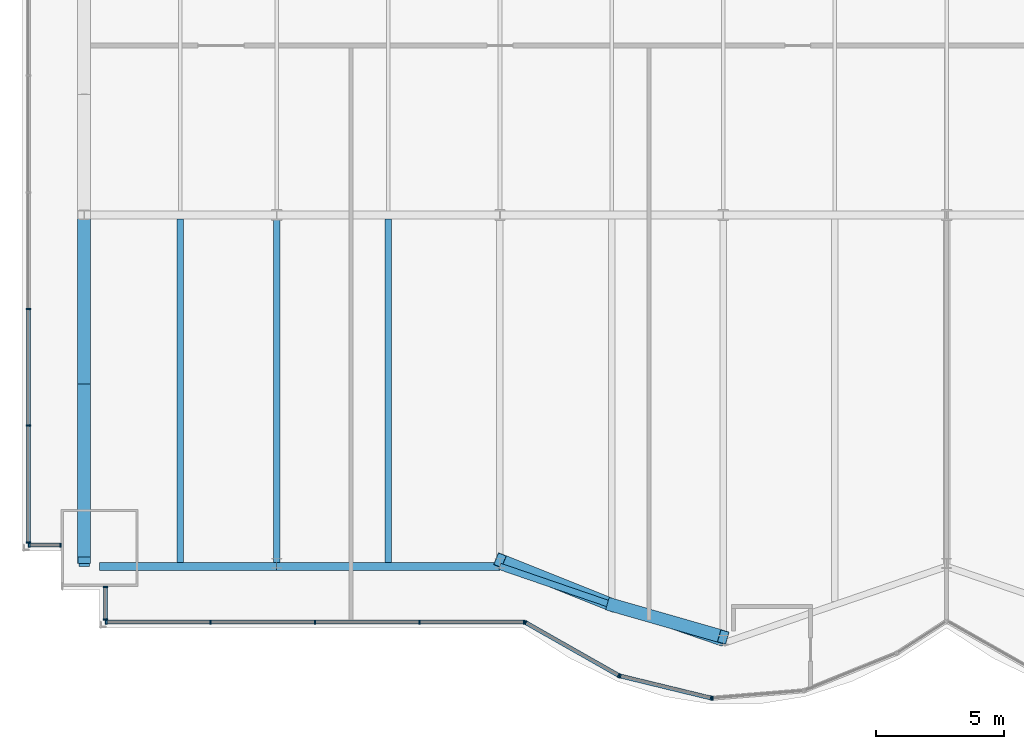
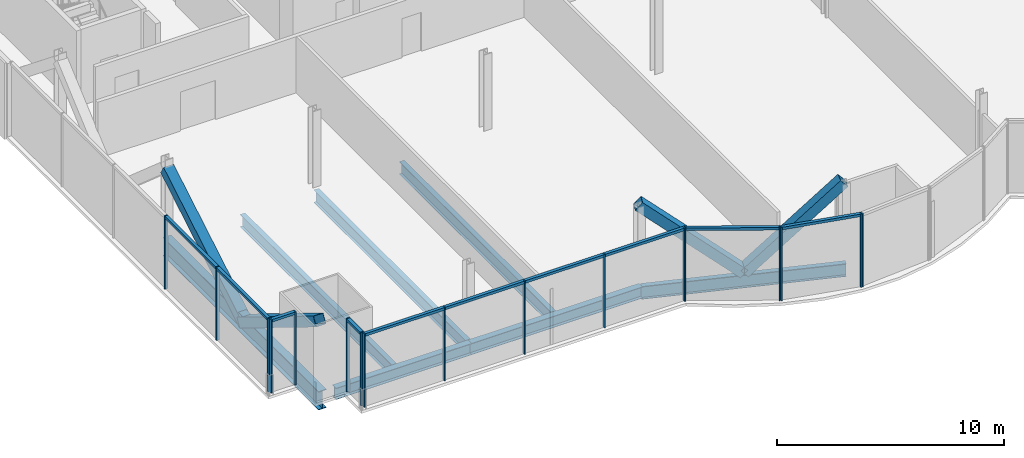
# One storey, part 4 of 21: 31 members, 7 beams, 5 elements without a shape of their own.
"""IFC4 building model written with IfcOpenShell, lengths in metres."""

import ifcopenshell
import ifcopenshell.guid

model = None  # the IFC model being written
_history = None  # IfcOwnerHistory: only IFC2X3 demands one
_inside = {}  # id of a spatial element -> (the spatial element, [elements in it])
_under = {}  # id of a project, library or spatial element -> (it, [spatial elements below it])
_declared = {}  # id of a project -> (the project, [libraries it declares])
_typed = {}  # id of a type object -> (the type object, [elements of that type])
_made_of = {}  # id of a material, layer set ... -> (it, [elements and type objects made of it])


def new_model(schema):
    """Start an empty IFC model of exactly this schema.

    Asked for "IFC4X3", IfcOpenShell would pick the latest addendum, in which some entities
    have other attributes; the version numbers below select the first issue.
    IFC2X3 requires an IfcOwnerHistory on every rooted entity: one is made here for all.
    """
    global model, _history
    if schema == "IFC4X3":
        model = ifcopenshell.file(schema_version=(4, 3, 0, 0))
    else:
        model = ifcopenshell.file(schema=schema)
    _inside.clear()
    _under.clear()
    _declared.clear()
    _typed.clear()
    _made_of.clear()
    _history = None
    if model.schema == "IFC2X3":
        org = make("IfcOrganization", Name="unknown")
        user = make(
            "IfcPersonAndOrganization",
            ThePerson=make("IfcPerson", FamilyName="unknown"),
            TheOrganization=org,
        )
        app = make(
            "IfcApplication",
            ApplicationDeveloper=org,
            Version="unknown",
            ApplicationFullName="unknown",
            ApplicationIdentifier="unknown",
        )
        _history = make(
            "IfcOwnerHistory",
            OwningUser=user,
            OwningApplication=app,
            ChangeAction="ADDED",
            CreationDate=0,
        )
    return model


def make(cls, **values):
    """One entity of the class cls with the attributes given. An attribute that is None is left unset."""
    return model.create_entity(
        cls, **{name: value for name, value in values.items() if value is not None}
    )


def rooted(cls, **values):
    """An entity with a GlobalId (a new one), such as an element, a storey or a relation."""
    return make(cls, GlobalId=ifcopenshell.guid.new(), OwnerHistory=_history, **values)


def si_unit(unit_type, name, prefix=None):
    """IfcSIUnit, for example si_unit("LENGTHUNIT", "METRE", prefix="MILLI")."""
    return make("IfcSIUnit", UnitType=unit_type, Prefix=prefix, Name=name)


def assignment(units):
    """IfcUnitAssignment: the units of a project."""
    return None if units is None else make("IfcUnitAssignment", Units=units)


def point(xyz):
    """IfcCartesianPoint."""
    return None if xyz is None else make("IfcCartesianPoint", Coordinates=xyz)


def direction(xyz):
    """IfcDirection."""
    return None if xyz is None else make("IfcDirection", DirectionRatios=xyz)


def frame(location, z_axis=None, x_axis=None):
    """IfcAxis2Placement3D, a coordinate frame: its origin and axes. An axis left out is left unset."""
    return make(
        "IfcAxis2Placement3D",
        Location=point(location),
        Axis=direction(z_axis),
        RefDirection=direction(x_axis),
    )


def frame_2d(location, x_axis=None):
    """IfcAxis2Placement2D, a coordinate frame in the plane: its origin and x axis."""
    return make(
        "IfcAxis2Placement2D", Location=point(location), RefDirection=direction(x_axis)
    )


def origin():
    """The frame at (0, 0, 0) with its axes left unset."""
    return frame((0.0, 0.0, 0.0))


def origin_2d():
    """The frame at (0, 0) in the plane with its x axis left unset."""
    return frame_2d((0.0, 0.0))


def place(relative_to, where):
    """IfcLocalPlacement: puts the frame where relative to a parent placement (None: the world)."""
    return make(
        "IfcLocalPlacement", PlacementRelTo=relative_to, RelativePlacement=where
    )


def context(
    kind, dimensions, precision=None, world=None, true_north=None, identifier=None
):
    """IfcGeometricRepresentationContext, for example the 3D "Model" context."""
    return make(
        "IfcGeometricRepresentationContext",
        ContextIdentifier=identifier,
        ContextType=kind,
        CoordinateSpaceDimension=dimensions,
        Precision=precision,
        WorldCoordinateSystem=world,
        TrueNorth=true_north,
    )


def subcontext(parent, identifier, kind, view, scale=None):
    """IfcGeometricRepresentationSubContext, for example "Body" below "Model"."""
    return make(
        "IfcGeometricRepresentationSubContext",
        ContextIdentifier=identifier,
        ContextType=kind,
        ParentContext=parent,
        TargetScale=scale,
        TargetView=view,
    )


def project(units=None, contexts=None):
    """IfcProject with its units and contexts."""
    return rooted(
        "IfcProject",
        Name="project",
        RepresentationContexts=contexts,
        UnitsInContext=assignment(units),
    )


def spatial(cls, under=None, at=None, **own):
    """A site, building, storey or space (cls), placed at a placement, below another one or the project."""
    s = rooted(cls, ObjectPlacement=at, **own)
    if under is not None:
        _under.setdefault(under.id(), (under, []))[1].append(s)
    return s


def profile(cls, at=None, kind="AREA", **sizes):
    """A parametric profile (cls). Its sizes go by their IFC names, for example OverallWidth=200.0."""
    return make(cls, ProfileType=kind, Position=at, **sizes)


def rectangle(**sizes):
    """IfcRectangleProfileDef."""
    return profile("IfcRectangleProfileDef", **sizes)


def hollow_rectangle(**sizes):
    """IfcRectangleHollowProfileDef."""
    return profile("IfcRectangleHollowProfileDef", **sizes)


def i_section(**sizes):
    """IfcIShapeProfileDef."""
    return profile("IfcIShapeProfileDef", **sizes)


def extrude(swept, where, along, depth):
    """IfcExtrudedAreaSolid: the profile swept, set in the frame where, extruded along a direction by depth."""
    return make(
        "IfcExtrudedAreaSolid",
        SweptArea=swept,
        Position=where,
        ExtrudedDirection=direction(along),
        Depth=depth,
    )


def shape(context_of_items, identifier, shape_type, items):
    """IfcShapeRepresentation: the items that make up one representation, for example the "Body"."""
    return make(
        "IfcShapeRepresentation",
        ContextOfItems=context_of_items,
        RepresentationIdentifier=identifier,
        RepresentationType=shape_type,
        Items=items,
    )


def material(Name=None, Category=None):
    """IfcMaterial."""
    return make("IfcMaterial", Name=Name, Category=Category)


def material_profile(
    of_material, cross_section, Name=None, Category=None, Priority=None
):
    """IfcMaterialProfile: a cross section and its material."""
    return make(
        "IfcMaterialProfile",
        Name=Name,
        Material=of_material,
        Profile=cross_section,
        Priority=Priority,
        Category=Category,
    )


def profile_set(profiles, Name=None, composite=None):
    """IfcMaterialProfileSet."""
    return make(
        "IfcMaterialProfileSet",
        Name=Name,
        MaterialProfiles=profiles,
        CompositeProfile=composite,
    )


def made_of(thing, what):
    """Note that an element or type object is made of a material, layer set ...; save() writes the relation."""
    if what is not None:
        _made_of.setdefault(what.id(), (what, []))[1].append(thing)
    return thing


def type_object(cls, material=None, **own):
    """A type object (cls), such as IfcWallType, which elements share."""
    return made_of(rooted(cls, **own), material)


def element(
    cls,
    number,
    at=None,
    inside=None,
    cuts=None,
    type_object=None,
    material=None,
    context=None,
    identifier="Body",
    shape_type=None,
    held_by="IfcProductDefinitionShape",
    body=None,
    shapes=None,
    **own,
):
    """One element of the class cls, such as IfcWall. Its Tag is "e" and its number.

    at: its placement. inside: the storey or other place that contains it. cuts: it is an
    opening in that element (IfcRelVoidsElement). A single representation is given by context,
    identifier, shape_type and body (its items); several are given by shapes. held_by: the class
    of the entity that holds the representations. save() writes the other relations.
    """
    e = rooted(cls, Tag="e%d" % number, ObjectPlacement=at, **own)
    if body is not None:
        shapes = [shape(context, identifier, shape_type, body)]
    if shapes is not None:
        e.Representation = make(held_by, Representations=shapes)
    if inside is not None:
        _inside.setdefault(inside.id(), (inside, []))[1].append(e)
    if cuts is not None:
        rooted(
            "IfcRelVoidsElement", RelatingBuildingElement=cuts, RelatedOpeningElement=e
        )
    if type_object is not None:
        _typed.setdefault(type_object.id(), (type_object, []))[1].append(e)
    return made_of(e, material)


def aggregate(whole, parts):
    """IfcRelAggregates: a whole, such as a stair, and the parts it consists of."""
    return rooted("IfcRelAggregates", RelatingObject=whole, RelatedObjects=parts)


def save(model, path):
    """Write the relations noted so far, then the file.

    IfcRelAggregates (storeys below a building ...), IfcRelContainedInSpatialStructure (elements
    in a storey), IfcRelDefinesByType, IfcRelAssociatesMaterial and IfcRelDeclares: one each for
    every whole, place, type object, material and project.
    """
    for whole, parts in _under.values():
        aggregate(whole, parts)
    for where, things in _inside.values():
        rooted(
            "IfcRelContainedInSpatialStructure",
            RelatedElements=things,
            RelatingStructure=where,
        )
    for kind, things in _typed.values():
        rooted("IfcRelDefinesByType", RelatedObjects=things, RelatingType=kind)
    for what, things in _made_of.values():
        rooted("IfcRelAssociatesMaterial", RelatedObjects=things, RelatingMaterial=what)
    for by, libraries in _declared.values():
        rooted("IfcRelDeclares", RelatingContext=by, RelatedDefinitions=libraries)
    model.write(path)


model = new_model("IFC4")

# Units and contexts
model_context = context("Model", 3, precision=1e-05, world=origin(), true_north=direction((0.0, 1.0)))
body_context = subcontext(model_context, "Body", "Model", "MODEL_VIEW")
ifc_project = project(units=[si_unit("LENGTHUNIT", "METRE"), si_unit("AREAUNIT", "SQUARE_METRE"), si_unit("VOLUMEUNIT", "CUBIC_METRE"), si_unit("PLANEANGLEUNIT", "RADIAN"), si_unit("MASSUNIT", "GRAM", prefix="KILO")], contexts=[model_context])

# Site, building, storey
site_placement = place(None, origin())
site = spatial("IfcSite", under=ifc_project, at=site_placement, CompositionType="ELEMENT")
building_placement = place(site_placement, origin())
building = spatial("IfcBuilding", under=site, at=building_placement, Name="Bicima Exchange Tower", CompositionType="ELEMENT")
storey_placement = place(building_placement, frame((0.0, 0.0, 106.300048828125)))
storey = spatial("IfcBuildingStorey", under=building, at=storey_placement, Name="L22", CompositionType="ELEMENT", Elevation=106.300048828125)

# Curtain wall, members
ifc_material_1 = material(Name="Anodised bronze aluminium", Category="aluminium")
curtain_wall_type_1 = type_object("IfcCurtainWallType", Name="End face glass wall", PredefinedType="NOTDEFINED", material=ifc_material_1)
curtain_wall_1_placement = place(storey_placement, origin())
curtain_wall_1 = element("IfcCurtainWall", 1, at=curtain_wall_1_placement, inside=storey, type_object=curtain_wall_type_1, Name="End face glass wall L22 run 2", PredefinedType="NOTDEFINED")
ifc_material_profile_1 = material_profile(ifc_material_1, rectangle(XDim=0.159912109375, YDim=0.06005859375, at=origin_2d()))
ifc_profile_set_1 = profile_set([ifc_material_profile_1], Name="Anodised bronze aluminium")
member_type_1 = type_object("IfcMemberType", Name="End face glass wall mullion 60 x 160", PredefinedType="MULLION", material=ifc_profile_set_1)
member_1_placement = place(storey_placement, frame((-35.77001953125, -25.66552734375, 0.0), z_axis=(0.0, 0.0, 1.0), x_axis=(1.0, 0.0, 0.0)))
member_1 = element("IfcMember", 2, at=member_1_placement, type_object=member_type_1, Name="End face glass wall mullion 4", PredefinedType="MULLION", context=body_context, shape_type="SweptSolid", body=[
    extrude(rectangle(XDim=0.159912109375, YDim=0.06005859375, at=origin_2d()), origin(), (0.0, 0.0, 1.0), 3.949951171875),
])
member_2_placement = place(storey_placement, frame((-35.77001953125, -30.210693359375, 0.0), z_axis=(0.0, 0.0, 1.0), x_axis=(1.0, 0.0, 0.0)))
member_2 = element("IfcMember", 3, at=member_2_placement, type_object=member_type_1, Name="End face glass wall mullion 5", PredefinedType="MULLION", context=body_context, shape_type="SweptSolid", body=[
    extrude(rectangle(XDim=0.159912109375, YDim=0.06005859375, at=origin_2d()), origin(), (0.0, 0.0, 1.0), 3.949951171875),
])
member_3_placement = place(storey_placement, frame((-35.77001953125, -34.756103515625, 0.0), z_axis=(0.0, 0.0, 1.0), x_axis=(1.0, 0.0, 0.0)))
member_3 = element("IfcMember", 4, at=member_3_placement, type_object=member_type_1, Name="End face glass wall mullion 6", PredefinedType="MULLION", context=body_context, shape_type="SweptSolid", body=[
    extrude(rectangle(XDim=0.159912109375, YDim=0.06005859375, at=origin_2d()), origin(), (0.0, 0.0, 1.0), 3.949951171875),
])
ifc_material_profile_2 = material_profile(ifc_material_1, rectangle(XDim=0.159912109375, YDim=0.139892578125, at=origin_2d()))
ifc_profile_set_2 = profile_set([ifc_material_profile_2], Name="Anodised bronze aluminium")
member_type_2 = type_object("IfcMemberType", Name="End face glass wall transom 140 x 160", PredefinedType="USERDEFINED", material=ifc_profile_set_2)
member_4_placement = place(storey_placement, frame((-35.77001953125, -25.695556640625, 3.8798828125), z_axis=(0.0, -1.0, 0.0), x_axis=(1.0, 0.0, 0.0)))
member_4 = element("IfcMember", 5, at=member_4_placement, type_object=member_type_2, Name="End face glass wall transom 4.1", ObjectType="TRANSOM", PredefinedType="USERDEFINED", context=body_context, shape_type="SweptSolid", body=[
    extrude(rectangle(XDim=0.159912109375, YDim=0.139892578125, at=origin_2d()), origin(), (0.0, 0.0, 1.0), 4.4853515625),
])
member_5_placement = place(storey_placement, frame((-35.77001953125, -30.24072265625, 3.8798828125), z_axis=(0.0, -1.0, 0.0), x_axis=(1.0, 0.0, 0.0)))
member_5 = element("IfcMember", 6, at=member_5_placement, type_object=member_type_2, Name="End face glass wall transom 5.1", ObjectType="TRANSOM", PredefinedType="USERDEFINED", context=body_context, shape_type="SweptSolid", body=[
    extrude(rectangle(XDim=0.159912109375, YDim=0.139892578125, at=origin_2d()), origin(), (0.0, 0.0, 1.0), 4.4853515625),
])
aggregate(curtain_wall_1, [member_1, member_2, member_3, member_4, member_5])

# Beams
ifc_material_2 = material(Name="Steel ASTM A992 Gr 50", Category="steel")
ifc_material_profile_3 = material_profile(ifc_material_2, i_section(OverallWidth=0.4013671875, OverallDepth=0.990478515625, WebThickness=0.0166015625, FlangeThickness=0.031005859375, at=origin_2d()))
ifc_profile_set_3 = profile_set([ifc_material_profile_3], Name="Steel ASTM A992 Gr 50")
beam_type_1 = type_object("IfcBeamType", Name="End girder W40x215", PredefinedType="BEAM", material=ifc_profile_set_3)
beam_1_placement = place(storey_placement, frame((-33.60009765625, -22.0, -0.645263671875), z_axis=(0.0, -1.0, 0.0), x_axis=(1.0, 0.0, 0.0)))
element("IfcBeam", 7, at=beam_1_placement, inside=storey, type_object=beam_type_1, Name="End girder", PredefinedType="BEAM", context=body_context, shape_type="SweptSolid", body=[
    extrude(i_section(OverallWidth=0.4013671875, OverallDepth=0.990478515625, WebThickness=0.0166015625, FlangeThickness=0.031005859375, at=origin_2d()), origin(), (0.0, 0.0, 1.0), 13.696044921875),
])
ifc_material_profile_4 = material_profile(ifc_material_2, i_section(OverallWidth=0.25390625, OverallDepth=0.67822265625, WebThickness=0.01171875, FlangeThickness=0.016357421875, at=origin_2d()))
ifc_profile_set_4 = profile_set([ifc_material_profile_4], Name="Steel ASTM A992 Gr 50")
beam_type_2 = type_object("IfcBeamType", Name="Floor beam W27x84", PredefinedType="JOIST", material=ifc_profile_set_4)
for number, where, z_axis, x_axis, name in (
    (8, (-29.85009765625, -22.16259765625, -0.4892578125), (0.0, -1.0, 0.0), (1.0, 0.0, 0.0), "Floor beam"),
    (9, (-26.10009765625, -22.16259765625, -0.4892578125), (0.0, -1.0, 0.0), (1.0, 0.0, 0.0), "Floor beam"),
    (10, (-21.75, -22.16259765625, -0.4892578125), (0.0, -1.0, 0.0), (1.0, 0.0, 0.0), "Floor beam"),
):
    element("IfcBeam", number, at=place(storey_placement, frame(where, z_axis=z_axis, x_axis=x_axis)), inside=storey, type_object=beam_type_2, Name=name, PredefinedType="JOIST", context=body_context, shape_type="SweptSolid", body=[
        extrude(i_section(OverallWidth=0.25390625, OverallDepth=0.67822265625, WebThickness=0.01171875, FlangeThickness=0.016357421875, at=origin_2d()), origin(), (0.0, 0.0, 1.0), 13.370849609375),
    ])
ifc_material_profile_5 = material_profile(ifc_material_2, i_section(OverallWidth=0.3251953125, OverallDepth=0.612060546875, WebThickness=0.0126953125, FlangeThickness=0.01904296875, at=origin_2d()))
ifc_profile_set_5 = profile_set([ifc_material_profile_5], Name="Steel ASTM A992 Gr 50")
beam_type_3 = type_object("IfcBeamType", Name="Front girder W24x104", PredefinedType="BEAM", material=ifc_profile_set_5)
beam_2_placement = place(storey_placement, frame((-33.0, -35.696044921875, -0.4560546875), z_axis=(1.0, 0.0, 0.0), x_axis=(0.0, 1.0, 0.0)))
element("IfcBeam", 11, at=beam_2_placement, inside=storey, type_object=beam_type_3, Name="Front girder", PredefinedType="BEAM", context=body_context, shape_type="SweptSolid", body=[
    extrude(i_section(OverallWidth=0.3251953125, OverallDepth=0.612060546875, WebThickness=0.0126953125, FlangeThickness=0.01904296875, at=origin_2d()), origin(), (0.0, 0.0, 1.0), 6.89990234375),
])
beam_3_placement = place(storey_placement, frame((-26.10009765625, -35.696044921875, -0.4560546875), z_axis=(1.0, 0.0, 0.0), x_axis=(0.0, 1.0, 0.0)))
element("IfcBeam", 12, at=beam_3_placement, inside=storey, type_object=beam_type_3, Name="Front girder", PredefinedType="BEAM", context=body_context, shape_type="SweptSolid", body=[
    extrude(i_section(OverallWidth=0.3251953125, OverallDepth=0.612060546875, WebThickness=0.0126953125, FlangeThickness=0.01904296875, at=origin_2d()), origin(), (0.0, 0.0, 1.0), 8.7001953125),
])
ifc_material_profile_6 = material_profile(ifc_material_2, i_section(OverallWidth=0.256591796875, OverallDepth=0.693359375, WebThickness=0.014404296875, FlangeThickness=0.023681640625, at=origin_2d()))
ifc_profile_set_6 = profile_set([ifc_material_profile_6], Name="Steel ASTM A992 Gr 50")
beam_type_4 = type_object("IfcBeamType", Name="Front girder W27x114", PredefinedType="BEAM", material=ifc_profile_set_6)
beam_4_placement = place(storey_placement, frame((-17.39990234375, -35.696044921875, -0.496826171875), z_axis=(0.945674616091, -0.32511462668, 0.0), x_axis=(0.32511462668, 0.945674616091, 0.0)))
element("IfcBeam", 13, at=beam_4_placement, inside=storey, type_object=beam_type_4, Name="Front girder", PredefinedType="BEAM", context=body_context, shape_type="SweptSolid", body=[
    extrude(i_section(OverallWidth=0.256591796875, OverallDepth=0.693359375, WebThickness=0.014404296875, FlangeThickness=0.023681640625, at=origin_2d()), origin(), (0.0, 0.0, 1.0), 9.19970703125),
])

# Curtain wall, members
curtain_wall_type_2 = type_object("IfcCurtainWallType", Name="Front glass wall", PredefinedType="NOTDEFINED", material=ifc_material_1)
curtain_wall_2_placement = place(storey_placement, origin())
curtain_wall_2 = element("IfcCurtainWall", 14, at=curtain_wall_2_placement, inside=storey, type_object=curtain_wall_type_2, Name="Front glass wall L22 run 3", PredefinedType="NOTDEFINED")
member_type_3 = type_object("IfcMemberType", Name="Front glass wall mullion 60 x 160", PredefinedType="MULLION", material=ifc_profile_set_1)
member_6_placement = place(storey_placement, frame((-35.739990234375, -34.865966796875, 0.0), z_axis=(0.0, 0.0, 1.0), x_axis=(0.0, 1.0, 0.0)))
member_6 = element("IfcMember", 15, at=member_6_placement, type_object=member_type_3, Name="Front glass wall mullion 1", PredefinedType="MULLION", context=body_context, shape_type="SweptSolid", body=[
    extrude(rectangle(XDim=0.159912109375, YDim=0.06005859375, at=origin_2d()), origin(), (0.0, 0.0, 1.0), 3.949951171875),
])
member_7_placement = place(storey_placement, frame((-34.530029296875, -34.865966796875, 0.0), z_axis=(0.0, 0.0, 1.0), x_axis=(0.0, 1.0, 0.0)))
member_7 = element("IfcMember", 16, at=member_7_placement, type_object=member_type_3, Name="Front glass wall mullion 2", PredefinedType="MULLION", context=body_context, shape_type="SweptSolid", body=[
    extrude(rectangle(XDim=0.159912109375, YDim=0.06005859375, at=origin_2d()), origin(), (0.0, 0.0, 1.0), 3.949951171875),
])

curtain_wall_3_placement = place(storey_placement, origin())
curtain_wall_3 = element("IfcCurtainWall", 17, at=curtain_wall_3_placement, inside=storey, type_object=curtain_wall_type_2, Name="Front glass wall L22 run 4", PredefinedType="NOTDEFINED")
member_8_placement = place(storey_placement, frame((-32.77001953125, -36.50390625, 0.0), z_axis=(0.0, 0.0, 1.0), x_axis=(1.0, 0.0, 0.0)))
member_8 = element("IfcMember", 18, at=member_8_placement, type_object=member_type_3, Name="Front glass wall mullion 1", PredefinedType="MULLION", context=body_context, shape_type="SweptSolid", body=[
    extrude(rectangle(XDim=0.159912109375, YDim=0.06005859375, at=origin_2d()), origin(), (0.0, 0.0, 1.0), 3.949951171875),
])
member_9_placement = place(storey_placement, frame((-32.77001953125, -37.756103515625, 0.0), z_axis=(0.0, 0.0, 1.0), x_axis=(1.0, 0.0, 0.0)))
member_9 = element("IfcMember", 19, at=member_9_placement, type_object=member_type_3, Name="Front glass wall mullion 2", PredefinedType="MULLION", context=body_context, shape_type="SweptSolid", body=[
    extrude(rectangle(XDim=0.159912109375, YDim=0.06005859375, at=origin_2d()), origin(), (0.0, 0.0, 1.0), 3.949951171875),
])

curtain_wall_4_placement = place(storey_placement, origin())
curtain_wall_4 = element("IfcCurtainWall", 20, at=curtain_wall_4_placement, inside=storey, type_object=curtain_wall_type_2, Name="Front glass wall L22 run 5", PredefinedType="NOTDEFINED")
member_10_placement = place(storey_placement, frame((-32.739990234375, -37.865966796875, 0.0), z_axis=(0.0, 0.0, 1.0), x_axis=(0.0, 1.0, 0.0)))
member_10 = element("IfcMember", 21, at=member_10_placement, type_object=member_type_3, Name="Front glass wall mullion 1", PredefinedType="MULLION", context=body_context, shape_type="SweptSolid", body=[
    extrude(rectangle(XDim=0.159912109375, YDim=0.06005859375, at=origin_2d()), origin(), (0.0, 0.0, 1.0), 3.949951171875),
])
member_11_placement = place(storey_placement, frame((-28.67041015625, -37.865966796875, 0.0), z_axis=(0.0, 0.0, 1.0), x_axis=(0.0, 1.0, 0.0)))
member_11 = element("IfcMember", 22, at=member_11_placement, type_object=member_type_3, Name="Front glass wall mullion 2", PredefinedType="MULLION", context=body_context, shape_type="SweptSolid", body=[
    extrude(rectangle(XDim=0.159912109375, YDim=0.06005859375, at=origin_2d()), origin(), (0.0, 0.0, 1.0), 3.949951171875),
])
member_12_placement = place(storey_placement, frame((-24.60107421875, -37.865966796875, 0.0), z_axis=(0.0, 0.0, 1.0), x_axis=(0.0, 1.0, 0.0)))
member_12 = element("IfcMember", 23, at=member_12_placement, type_object=member_type_3, Name="Front glass wall mullion 3", PredefinedType="MULLION", context=body_context, shape_type="SweptSolid", body=[
    extrude(rectangle(XDim=0.159912109375, YDim=0.06005859375, at=origin_2d()), origin(), (0.0, 0.0, 1.0), 3.949951171875),
])
member_13_placement = place(storey_placement, frame((-20.531494140625, -37.865966796875, 0.0), z_axis=(0.0, 0.0, 1.0), x_axis=(0.0, 1.0, 0.0)))
member_13 = element("IfcMember", 24, at=member_13_placement, type_object=member_type_3, Name="Front glass wall mullion 4", PredefinedType="MULLION", context=body_context, shape_type="SweptSolid", body=[
    extrude(rectangle(XDim=0.159912109375, YDim=0.06005859375, at=origin_2d()), origin(), (0.0, 0.0, 1.0), 3.949951171875),
])
member_14_placement = place(storey_placement, frame((-16.462158203125, -37.865966796875, 0.0), z_axis=(0.0, 0.0, 1.0), x_axis=(0.0, 1.0, 0.0)))
member_14 = element("IfcMember", 25, at=member_14_placement, type_object=member_type_3, Name="Front glass wall mullion 5", PredefinedType="MULLION", context=body_context, shape_type="SweptSolid", body=[
    extrude(rectangle(XDim=0.159912109375, YDim=0.06005859375, at=origin_2d()), origin(), (0.0, 0.0, 1.0), 3.949951171875),
])

curtain_wall_5_placement = place(storey_placement, origin())
curtain_wall_5 = element("IfcCurtainWall", 26, at=curtain_wall_5_placement, inside=storey, type_object=curtain_wall_type_2, Name="Front glass wall L22 run 6", PredefinedType="NOTDEFINED")
member_15_placement = place(storey_placement, frame((-16.406005859375, -37.880859375, 0.0), z_axis=(0.0, 0.0, 1.0), x_axis=(0.493395449343, 0.869805110681, 0.0)))
member_15 = element("IfcMember", 27, at=member_15_placement, type_object=member_type_3, Name="Front glass wall mullion 1", PredefinedType="MULLION", context=body_context, shape_type="SweptSolid", body=[
    extrude(rectangle(XDim=0.159912109375, YDim=0.06005859375, at=origin_2d()), origin(), (0.0, 0.0, 1.0), 3.949951171875),
])
member_16_placement = place(storey_placement, frame((-12.7734375, -39.94140625, 0.0), z_axis=(0.0, 0.0, 1.0), x_axis=(0.493395449343, 0.869805110681, 0.0)))
member_16 = element("IfcMember", 28, at=member_16_placement, type_object=member_type_3, Name="Front glass wall mullion 2", PredefinedType="MULLION", context=body_context, shape_type="SweptSolid", body=[
    extrude(rectangle(XDim=0.159912109375, YDim=0.06005859375, at=origin_2d()), origin(), (0.0, 0.0, 1.0), 3.949951171875),
])
member_17_placement = place(storey_placement, frame((-12.718017578125, -39.96337890625, 0.0), z_axis=(0.0, 0.0, 1.0), x_axis=(0.235681529503, 0.971830343553, 0.0)))
member_17 = element("IfcMember", 29, at=member_17_placement, type_object=member_type_3, Name="Front glass wall mullion 1", PredefinedType="MULLION", context=body_context, shape_type="SweptSolid", body=[
    extrude(rectangle(XDim=0.159912109375, YDim=0.06005859375, at=origin_2d()), origin(), (0.0, 0.0, 1.0), 3.949951171875),
])
member_18_placement = place(storey_placement, frame((-9.177490234375, -40.822021484375, 0.0), z_axis=(0.0, 0.0, 1.0), x_axis=(0.235681529503, 0.971830343553, 0.0)))
member_18 = element("IfcMember", 30, at=member_18_placement, type_object=member_type_3, Name="Front glass wall mullion 2", PredefinedType="MULLION", context=body_context, shape_type="SweptSolid", body=[
    extrude(rectangle(XDim=0.159912109375, YDim=0.06005859375, at=origin_2d()), origin(), (0.0, 0.0, 1.0), 3.949951171875),
])
member_19_placement = place(storey_placement, frame((-9.118408203125, -40.82666015625, 0.0), z_axis=(0.0, 0.0, 1.0), x_axis=(-0.080588612633, 0.99674744821, 0.0)))
member_19 = element("IfcMember", 31, at=member_19_placement, type_object=member_type_3, Name="Front glass wall mullion 1", PredefinedType="MULLION", context=body_context, shape_type="SweptSolid", body=[
    extrude(rectangle(XDim=0.159912109375, YDim=0.06005859375, at=origin_2d()), origin(), (0.0, 0.0, 1.0), 3.949951171875),
])

# Member
member_type_4 = type_object("IfcMemberType", Name="Front glass wall transom 140 x 160", PredefinedType="USERDEFINED", material=ifc_profile_set_2)
member_20_placement = place(storey_placement, frame((-35.7099609375, -34.865966796875, 3.8798828125), z_axis=(1.0, 0.0, 0.0), x_axis=(0.0, 1.0, 0.0)))
member_20 = element("IfcMember", 32, at=member_20_placement, type_object=member_type_4, Name="Front glass wall transom 1.1", ObjectType="TRANSOM", PredefinedType="USERDEFINED", context=body_context, shape_type="SweptSolid", body=[
    extrude(rectangle(XDim=0.159912109375, YDim=0.139892578125, at=origin_2d()), origin(), (0.0, 0.0, 1.0), 1.14990234375),
])

aggregate(curtain_wall_2, [member_6, member_7, member_20])

member_21_placement = place(storey_placement, frame((-32.77001953125, -36.533935546875, 3.8798828125), z_axis=(0.0, -1.0, 0.0), x_axis=(1.0, 0.0, 0.0)))
member_21 = element("IfcMember", 33, at=member_21_placement, type_object=member_type_4, Name="Front glass wall transom 1.1", ObjectType="TRANSOM", PredefinedType="USERDEFINED", context=body_context, shape_type="SweptSolid", body=[
    extrude(rectangle(XDim=0.159912109375, YDim=0.139892578125, at=origin_2d()), origin(), (0.0, 0.0, 1.0), 1.192138671875),
])

aggregate(curtain_wall_3, [member_8, member_9, member_21])

member_22_placement = place(storey_placement, frame((-32.7099609375, -37.865966796875, 3.8798828125), z_axis=(1.0, 0.0, 0.0), x_axis=(0.0, 1.0, 0.0)))
member_22 = element("IfcMember", 34, at=member_22_placement, type_object=member_type_4, Name="Front glass wall transom 1.1", ObjectType="TRANSOM", PredefinedType="USERDEFINED", context=body_context, shape_type="SweptSolid", body=[
    extrude(rectangle(XDim=0.159912109375, YDim=0.139892578125, at=origin_2d()), origin(), (0.0, 0.0, 1.0), 4.009521484375),
])

member_23_placement = place(storey_placement, frame((-28.640380859375, -37.865966796875, 3.8798828125), z_axis=(1.0, 0.0, 0.0), x_axis=(0.0, 1.0, 0.0)))
member_23 = element("IfcMember", 35, at=member_23_placement, type_object=member_type_4, Name="Front glass wall transom 2.1", ObjectType="TRANSOM", PredefinedType="USERDEFINED", context=body_context, shape_type="SweptSolid", body=[
    extrude(rectangle(XDim=0.159912109375, YDim=0.139892578125, at=origin_2d()), origin(), (0.0, 0.0, 1.0), 4.00927734375),
])

member_24_placement = place(storey_placement, frame((-24.571044921875, -37.865966796875, 3.8798828125), z_axis=(1.0, 0.0, 0.0), x_axis=(0.0, 1.0, 0.0)))
member_24 = element("IfcMember", 36, at=member_24_placement, type_object=member_type_4, Name="Front glass wall transom 3.1", ObjectType="TRANSOM", PredefinedType="USERDEFINED", context=body_context, shape_type="SweptSolid", body=[
    extrude(rectangle(XDim=0.159912109375, YDim=0.139892578125, at=origin_2d()), origin(), (0.0, 0.0, 1.0), 4.009521484375),
])

member_25_placement = place(storey_placement, frame((-20.501708984375, -37.865966796875, 3.8798828125), z_axis=(1.0, 0.0, 0.0), x_axis=(0.0, 1.0, 0.0)))
member_25 = element("IfcMember", 37, at=member_25_placement, type_object=member_type_4, Name="Front glass wall transom 4.1", ObjectType="TRANSOM", PredefinedType="USERDEFINED", context=body_context, shape_type="SweptSolid", body=[
    extrude(rectangle(XDim=0.159912109375, YDim=0.139892578125, at=origin_2d()), origin(), (0.0, 0.0, 1.0), 4.009521484375),
])

aggregate(curtain_wall_4, [member_10, member_11, member_12, member_13, member_14, member_22, member_23, member_24, member_25])

member_26_placement = place(storey_placement, frame((-16.3798828125, -37.8955078125, 3.8798828125), z_axis=(0.869797371721, -0.49340909208, 0.0), x_axis=(0.49340909208, 0.869797371721, 0.0)))
member_26 = element("IfcMember", 38, at=member_26_placement, type_object=member_type_4, Name="Front glass wall transom 1.1", ObjectType="TRANSOM", PredefinedType="USERDEFINED", context=body_context, shape_type="SweptSolid", body=[
    extrude(rectangle(XDim=0.159912109375, YDim=0.139892578125, at=origin_2d()), origin(), (0.0, 0.0, 1.0), 4.1162109375),
])

member_27_placement = place(storey_placement, frame((-12.68896484375, -39.97021484375, 3.8798828125), z_axis=(0.971817951661, -0.235732621477, 0.0), x_axis=(0.235732621477, 0.971817951661, 0.0)))
member_27 = element("IfcMember", 39, at=member_27_placement, type_object=member_type_4, Name="Front glass wall transom 1.1", ObjectType="TRANSOM", PredefinedType="USERDEFINED", context=body_context, shape_type="SweptSolid", body=[
    extrude(rectangle(XDim=0.159912109375, YDim=0.139892578125, at=origin_2d()), origin(), (0.0, 0.0, 1.0), 3.58349609375),
])

aggregate(curtain_wall_5, [member_15, member_16, member_26, member_17, member_18, member_27, member_19])

# Members
ifc_material_3 = material(Name="Steel ASTM A572 Gr 50", Category="steel")
ifc_material_profile_7 = material_profile(ifc_material_3, hollow_rectangle(XDim=0.508056640625, YDim=0.508056640625, WallThickness=0.0146484375, at=origin_2d()))
ifc_profile_set_7 = profile_set([ifc_material_profile_7], Name="Steel ASTM A572 Gr 50")
member_type_5 = type_object("IfcMemberType", Name="Mega brace HSS20x20x5/8", PredefinedType="BRACE", material=ifc_profile_set_7)
member_28_placement = place(storey_placement, frame((-13.050048828125, -37.19140625, 0.0), z_axis=(0.712280173437, -0.204953443103, 0.671305474943), x_axis=(0.276522876258, 0.961007335511, 0.0)))
element("IfcMember", 40, at=member_28_placement, inside=storey, type_object=member_type_5, Name="Mega brace front", PredefinedType="BRACE", context=body_context, shape_type="SweptSolid", body=[
    extrude(hollow_rectangle(XDim=0.508056640625, YDim=0.508056640625, WallThickness=0.0146484375, at=origin_2d()), origin(), (0.0, 0.0, 1.0), 6.107177734375),
])
member_29_placement = place(storey_placement, frame((-13.050048828125, -37.19140625, 0.0), z_axis=(-0.69872416977, 0.279419077825, 0.658566255988), x_axis=(-0.371309808925, -0.928509033772, 0.0)))
element("IfcMember", 41, at=member_29_placement, inside=storey, type_object=member_type_5, Name="Mega brace front", PredefinedType="BRACE", context=body_context, shape_type="SweptSolid", body=[
    extrude(hollow_rectangle(XDim=0.508056640625, YDim=0.508056640625, WallThickness=0.0146484375, at=origin_2d()), origin(), (0.0, 0.0, 1.0), 6.225341796875),
])
member_30_placement = place(storey_placement, frame((-33.60009765625, -28.72607421875, -0.645263671875), z_axis=(0.0, -0.851633903463, 0.524137095111), x_axis=(1.0, 0.0, 0.0)))
element("IfcMember", 42, at=member_30_placement, inside=storey, type_object=member_type_5, Name="Mega brace west end", PredefinedType="BRACE", context=body_context, shape_type="SweptSolid", body=[
    extrude(hollow_rectangle(XDim=0.508056640625, YDim=0.508056640625, WallThickness=0.0146484375, at=origin_2d()), origin(), (0.0, 0.0, 1.0), 7.8974609375),
])
member_31_placement = place(storey_placement, frame((-33.60009765625, -28.969970703125, -0.645263671875), z_axis=(0.0, 0.859801442396, 0.510628514337), x_axis=(-1.0, 0.0, 0.0)))
element("IfcMember", 43, at=member_31_placement, inside=storey, type_object=member_type_5, Name="Mega brace west end", PredefinedType="BRACE", context=body_context, shape_type="SweptSolid", body=[
    extrude(hollow_rectangle(XDim=0.508056640625, YDim=0.508056640625, WallThickness=0.0146484375, at=origin_2d()), origin(), (0.0, 0.0, 1.0), 8.1064453125),
])

save(model, "model.ifc")
